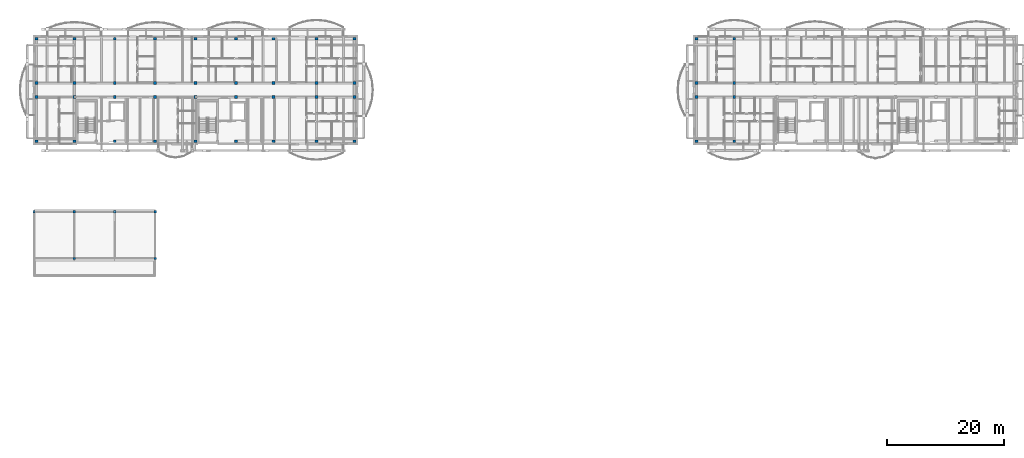
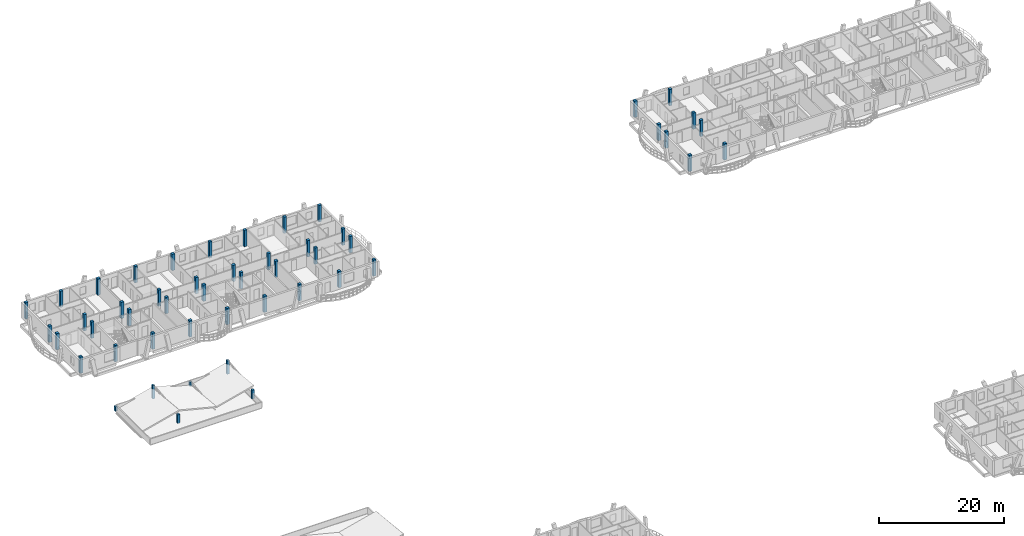
# One storey, part 2 of 50: 50 columns.
"""IFC4 building model written with IfcOpenShell, lengths in metres."""

from ifc_helpers import new_model, si_unit, direction, frame, origin, origin_2d, place, context, subcontext, project, spatial, rectangle, extrude, material, material_profile, profile_set, type_object, element, save


model = new_model("IFC4")

# Units and contexts
model_context = context("Model", 3, precision=1e-05, world=origin(), true_north=direction((0.0, 1.0)))
body_context = subcontext(model_context, "Body", "Model", "MODEL_VIEW")
ifc_project = project(units=[si_unit("LENGTHUNIT", "METRE"), si_unit("AREAUNIT", "SQUARE_METRE"), si_unit("VOLUMEUNIT", "CUBIC_METRE"), si_unit("PLANEANGLEUNIT", "RADIAN"), si_unit("MASSUNIT", "GRAM", prefix="KILO")], contexts=[model_context])

# Site, building, storey
site_placement = place(None, origin())
site = spatial("IfcSite", under=ifc_project, at=site_placement, CompositionType="ELEMENT")
building_placement = place(site_placement, origin())
building = spatial("IfcBuilding", under=site, at=building_placement, Name="Zavelmont Quarter", CompositionType="ELEMENT")
storey_placement = place(building_placement, frame((0.0, 0.0, 11.199951171875)))
storey = spatial("IfcBuildingStorey", under=building, at=storey_placement, Name="L03", CompositionType="ELEMENT", Elevation=11.199951171875)

# Columns
ifc_material_1 = material(Name="Concrete C40/50", Category="concrete")
ifc_material_profile_1 = material_profile(ifc_material_1, rectangle(XDim=0.5, YDim=0.5, at=origin_2d()), Name="RC500X500")
ifc_profile_set_1 = profile_set([ifc_material_profile_1], Name="Concrete C40/50")
column_type_1 = type_object("IfcColumnType", Name="CL03", PredefinedType="COLUMN", material=ifc_profile_set_1)
for number, where, z_axis, x_axis, name in (
    (1, (0.43994140625, 98.0400390625, 0.0), (0.0, 0.0, 1.0), (1.0, 0.0, 0.0), "L03 column CL03 at 1/P"),
    (2, (0.43994140625, 105.60009765625, 0.0), (0.0, 0.0, 1.0), (1.0, 0.0, 0.0), "L03 column CL03 at 1/Q"),
    (3, (0.43994140625, 108.0, 0.0), (0.0, 0.0, 1.0), (1.0, 0.0, 0.0), "L03 column CL03 at 1/R"),
    (4, (0.43994140625, 115.56005859375, 0.0), (0.0, 0.0, 1.0), (1.0, 0.0, 0.0), "L03 column CL03 at 1/S"),
    (5, (6.89990234375, 98.0400390625, 0.0), (0.0, 0.0, 1.0), (1.0, 0.0, 0.0), "L03 column CL03 at 2/P"),
    (6, (6.89990234375, 105.60009765625, 0.0), (0.0, 0.0, 1.0), (1.0, 0.0, 0.0), "L03 column CL03 at 2/Q"),
    (7, (6.89990234375, 108.0, 0.0), (0.0, 0.0, 1.0), (1.0, 0.0, 0.0), "L03 column CL03 at 2/R"),
    (8, (6.89990234375, 115.56005859375, 0.0), (0.0, 0.0, 1.0), (1.0, 0.0, 0.0), "L03 column CL03 at 2/S"),
    (9, (13.800048828125, 98.0400390625, 0.0), (0.0, 0.0, 1.0), (1.0, 0.0, 0.0), "L03 column CL03 at 3/P"),
    (10, (13.800048828125, 105.60009765625, 0.0), (0.0, 0.0, 1.0), (1.0, 0.0, 0.0), "L03 column CL03 at 3/Q"),
    (11, (13.800048828125, 108.0, 0.0), (0.0, 0.0, 1.0), (1.0, 0.0, 0.0), "L03 column CL03 at 3/R"),
    (12, (13.800048828125, 115.56005859375, 0.0), (0.0, 0.0, 1.0), (1.0, 0.0, 0.0), "L03 column CL03 at 3/S"),
    (13, (20.699951171875, 98.0400390625, 0.0), (0.0, 0.0, 1.0), (1.0, 0.0, 0.0), "L03 column CL03 at 4/P"),
    (14, (20.699951171875, 105.60009765625, 0.0), (0.0, 0.0, 1.0), (1.0, 0.0, 0.0), "L03 column CL03 at 4/Q"),
    (15, (20.699951171875, 108.0, 0.0), (0.0, 0.0, 1.0), (1.0, 0.0, 0.0), "L03 column CL03 at 4/R"),
    (16, (20.699951171875, 115.56005859375, 0.0), (0.0, 0.0, 1.0), (1.0, 0.0, 0.0), "L03 column CL03 at 4/S"),
    (17, (27.60009765625, 98.0400390625, 0.0), (0.0, 0.0, 1.0), (1.0, 0.0, 0.0), "L03 column CL03 at 5/P"),
    (18, (27.60009765625, 105.60009765625, 0.0), (0.0, 0.0, 1.0), (1.0, 0.0, 0.0), "L03 column CL03 at 5/Q"),
    (19, (27.60009765625, 108.0, 0.0), (0.0, 0.0, 1.0), (1.0, 0.0, 0.0), "L03 column CL03 at 5/R"),
    (20, (27.60009765625, 115.56005859375, 0.0), (0.0, 0.0, 1.0), (1.0, 0.0, 0.0), "L03 column CL03 at 5/S"),
    (21, (34.5, 98.0400390625, 0.0), (0.0, 0.0, 1.0), (1.0, 0.0, 0.0), "L03 column CL03 at 6/P"),
    (22, (34.5, 105.60009765625, 0.0), (0.0, 0.0, 1.0), (1.0, 0.0, 0.0), "L03 column CL03 at 6/Q"),
    (23, (34.5, 108.0, 0.0), (0.0, 0.0, 1.0), (1.0, 0.0, 0.0), "L03 column CL03 at 6/R"),
    (24, (34.5, 115.56005859375, 0.0), (0.0, 0.0, 1.0), (1.0, 0.0, 0.0), "L03 column CL03 at 6/S"),
    (25, (40.9599609375, 98.0400390625, 0.0), (0.0, 0.0, 1.0), (1.0, 0.0, 0.0), "L03 column CL03 at 7/P"),
    (26, (40.9599609375, 105.60009765625, 0.0), (0.0, 0.0, 1.0), (1.0, 0.0, 0.0), "L03 column CL03 at 7/Q"),
    (27, (40.9599609375, 108.0, 0.0), (0.0, 0.0, 1.0), (1.0, 0.0, 0.0), "L03 column CL03 at 7/R"),
    (28, (40.9599609375, 115.56005859375, 0.0), (0.0, 0.0, 1.0), (1.0, 0.0, 0.0), "L03 column CL03 at 7/S"),
    (29, (48.300048828125, 98.0400390625, 0.0), (0.0, 0.0, 1.0), (1.0, 0.0, 0.0), "L03 column CL03 at 8/P"),
    (30, (48.300048828125, 105.60009765625, 0.0), (0.0, 0.0, 1.0), (1.0, 0.0, 0.0), "L03 column CL03 at 8/Q"),
    (31, (48.300048828125, 108.0, 0.0), (0.0, 0.0, 1.0), (1.0, 0.0, 0.0), "L03 column CL03 at 8/R"),
    (32, (48.300048828125, 115.56005859375, 0.0), (0.0, 0.0, 1.0), (1.0, 0.0, 0.0), "L03 column CL03 at 8/S"),
    (33, (54.760009765625, 98.0400390625, 0.0), (0.0, 0.0, 1.0), (1.0, 0.0, 0.0), "L03 column CL03 at 9/P"),
    (34, (54.760009765625, 105.60009765625, 0.0), (0.0, 0.0, 1.0), (1.0, 0.0, 0.0), "L03 column CL03 at 9/Q"),
    (35, (54.760009765625, 108.0, 0.0), (0.0, 0.0, 1.0), (1.0, 0.0, 0.0), "L03 column CL03 at 9/R"),
    (36, (54.760009765625, 115.56005859375, 0.0), (0.0, 0.0, 1.0), (1.0, 0.0, 0.0), "L03 column CL03 at 9/S"),
    (37, (113.239990234375, 98.0400390625, 0.0), (0.0, 0.0, 1.0), (1.0, 0.0, 0.0), "L03 column CL03 at 17/P"),
    (38, (113.239990234375, 105.60009765625, 0.0), (0.0, 0.0, 1.0), (1.0, 0.0, 0.0), "L03 column CL03 at 17/Q"),
    (39, (113.239990234375, 108.0, 0.0), (0.0, 0.0, 1.0), (1.0, 0.0, 0.0), "L03 column CL03 at 17/R"),
    (40, (113.239990234375, 115.56005859375, 0.0), (0.0, 0.0, 1.0), (1.0, 0.0, 0.0), "L03 column CL03 at 17/S"),
    (41, (119.699951171875, 98.0400390625, 0.0), (0.0, 0.0, 1.0), (1.0, 0.0, 0.0), "L03 column CL03 at 18/P"),
    (42, (119.699951171875, 105.60009765625, 0.0), (0.0, 0.0, 1.0), (1.0, 0.0, 0.0), "L03 column CL03 at 18/Q"),
    (43, (119.699951171875, 108.0, 0.0), (0.0, 0.0, 1.0), (1.0, 0.0, 0.0), "L03 column CL03 at 18/R"),
    (44, (119.699951171875, 115.56005859375, 0.0), (0.0, 0.0, 1.0), (1.0, 0.0, 0.0), "L03 column CL03 at 18/S"),
):
    element("IfcColumn", number, at=place(storey_placement, frame(where, z_axis=z_axis, x_axis=x_axis)), inside=storey, type_object=column_type_1, Name=name, PredefinedType="COLUMN", context=body_context, shape_type="SweptSolid", body=[
        extrude(rectangle(XDim=0.5, YDim=0.5, at=origin_2d()), origin(), (0.0, 0.0, 1.0), 3.199951171875),
    ])
ifc_material_2 = material(Name="Concrete C35/45", Category="concrete")
ifc_material_profile_2 = material_profile(ifc_material_2, rectangle(XDim=0.39990234375, YDim=0.39990234375, at=origin_2d()), Name="RC400X400")
ifc_profile_set_2 = profile_set([ifc_material_profile_2], Name="Concrete C35/45")
column_type_2 = type_object("IfcColumnType", Name="CL05", PredefinedType="COLUMN", material=ifc_profile_set_2)
column_1_placement = place(storey_placement, frame((0.0, 86.0, 0.0), z_axis=(0.0, 0.0, 1.0), x_axis=(1.0, 0.0, 0.0)))
element("IfcColumn", 45, at=column_1_placement, inside=storey, type_object=column_type_2, Name="L03 column CL05 at 1/N", PredefinedType="COLUMN", context=body_context, shape_type="SweptSolid", body=[
    extrude(rectangle(XDim=0.39990234375, YDim=0.39990234375, at=origin_2d()), origin(), (0.0, 0.0, 1.0), 0.8701171875),
])
column_2_placement = place(storey_placement, frame((6.89990234375, 78.0, 0.0), z_axis=(0.0, 0.0, 1.0), x_axis=(1.0, 0.0, 0.0)))
element("IfcColumn", 46, at=column_2_placement, inside=storey, type_object=column_type_2, Name="L03 column CL05 at 2/M", PredefinedType="COLUMN", context=body_context, shape_type="SweptSolid", body=[
    extrude(rectangle(XDim=0.39990234375, YDim=0.39990234375, at=origin_2d()), origin(), (0.0, 0.0, 1.0), 1.7451171875),
])
column_3_placement = place(storey_placement, frame((6.89990234375, 86.0, 0.0), z_axis=(0.0, 0.0, 1.0), x_axis=(1.0, 0.0, 0.0)))
element("IfcColumn", 47, at=column_3_placement, inside=storey, type_object=column_type_2, Name="L03 column CL05 at 2/N", PredefinedType="COLUMN", context=body_context, shape_type="SweptSolid", body=[
    extrude(rectangle(XDim=0.39990234375, YDim=0.39990234375, at=origin_2d()), origin(), (0.0, 0.0, 1.0), 2.6201171875),
])
column_4_placement = place(storey_placement, frame((13.800048828125, 86.0, 0.0), z_axis=(0.0, 0.0, 1.0), x_axis=(1.0, 0.0, 0.0)))
element("IfcColumn", 48, at=column_4_placement, inside=storey, type_object=column_type_2, Name="L03 column CL05 at 3/N", PredefinedType="COLUMN", context=body_context, shape_type="SweptSolid", body=[
    extrude(rectangle(XDim=0.39990234375, YDim=0.39990234375, at=origin_2d()), origin(), (0.0, 0.0, 1.0), 0.8701171875),
])
column_5_placement = place(storey_placement, frame((20.699951171875, 78.0, 0.0), z_axis=(0.0, 0.0, 1.0), x_axis=(1.0, 0.0, 0.0)))
element("IfcColumn", 49, at=column_5_placement, inside=storey, type_object=column_type_2, Name="L03 column CL05 at 4/M", PredefinedType="COLUMN", context=body_context, shape_type="SweptSolid", body=[
    extrude(rectangle(XDim=0.39990234375, YDim=0.39990234375, at=origin_2d()), origin(), (0.0, 0.0, 1.0), 1.7451171875),
])
column_6_placement = place(storey_placement, frame((20.699951171875, 86.0, 0.0), z_axis=(0.0, 0.0, 1.0), x_axis=(1.0, 0.0, 0.0)))
element("IfcColumn", 50, at=column_6_placement, inside=storey, type_object=column_type_2, Name="L03 column CL05 at 4/N", PredefinedType="COLUMN", context=body_context, shape_type="SweptSolid", body=[
    extrude(rectangle(XDim=0.39990234375, YDim=0.39990234375, at=origin_2d()), origin(), (0.0, 0.0, 1.0), 2.6201171875),
])

save(model, "model.ifc")
